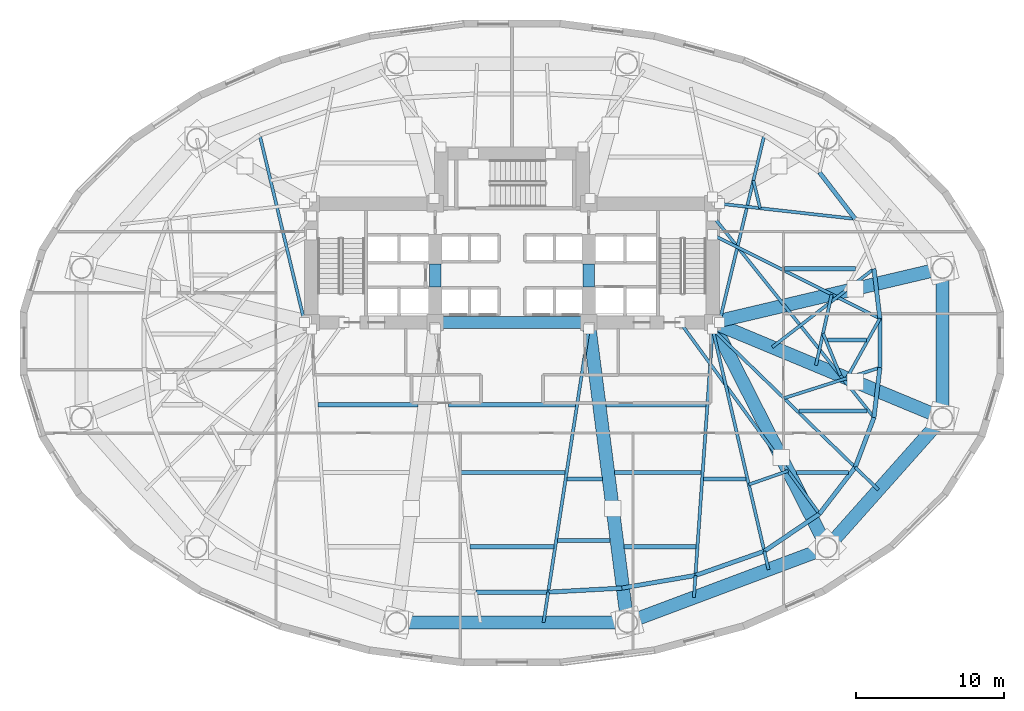
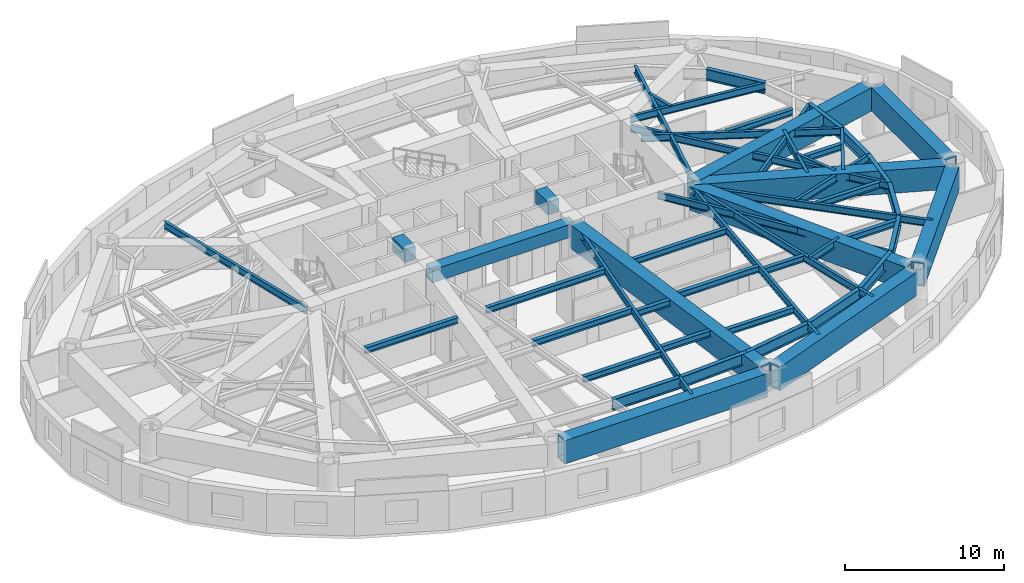
# One storey, part 2 of 14: 57 beams.
"""IFC4 building model written with IfcOpenShell, lengths in metres."""

from ifc_helpers import new_model, si_unit, direction, frame, origin, origin_2d, place, context, subcontext, project, spatial, rectangle, hollow_rectangle, i_section, extrude, material, material_profile, profile_set, type_object, element, save


model = new_model("IFC4")

# Units and contexts
model_context = context("Model", 3, precision=1e-05, world=origin(), true_north=direction((0.0, 1.0)))
body_context = subcontext(model_context, "Body", "Model", "MODEL_VIEW")
ifc_project = project(units=[si_unit("LENGTHUNIT", "METRE"), si_unit("AREAUNIT", "SQUARE_METRE"), si_unit("VOLUMEUNIT", "CUBIC_METRE"), si_unit("PLANEANGLEUNIT", "RADIAN"), si_unit("MASSUNIT", "GRAM", prefix="KILO")], contexts=[model_context])

# Site, building, storey
site_placement = place(None, origin())
site = spatial("IfcSite", under=ifc_project, at=site_placement, CompositionType="ELEMENT")
building_placement = place(site_placement, origin())
building = spatial("IfcBuilding", under=site, at=building_placement, Name="Keldmark Tower", CompositionType="ELEMENT")
storey_placement = place(building_placement, frame((0.0, 0.0, 22.800048828125)))
storey = spatial("IfcBuildingStorey", under=building, at=storey_placement, Name="L05", CompositionType="ELEMENT", Elevation=22.800048828125)

# Beams
ifc_material_1 = material(Name="Steel ASTM A992 Grade 50", Category="steel")
ifc_material_profile_1 = material_profile(ifc_material_1, i_section(OverallWidth=0.280029296875, OverallDepth=0.462890625, WebThickness=0.0107421875, FlangeThickness=0.017333984375, at=origin_2d()), Name="W18X76")
ifc_profile_set_1 = profile_set([ifc_material_profile_1], Name="Steel ASTM A992 Grade 50")
beam_type_1 = type_object("IfcBeamType", Name="Composite Floor Joist W18X76", PredefinedType="JOIST", material=ifc_profile_set_1)
beam_1_placement = place(storey_placement, frame((-2.831787109375, -13.800048828125, 3.66845703125), z_axis=(1.0, 0.0, 0.0), x_axis=(0.0, 1.0, 0.0)))
element("IfcBeam", 1, at=beam_1_placement, inside=storey, type_object=beam_type_1, Name="L05 Composite Floor Joist J03", PredefinedType="JOIST", context=body_context, shape_type="SweptSolid", body=[
    extrude(i_section(OverallWidth=0.280029296875, OverallDepth=0.462890625, WebThickness=0.0107421875, FlangeThickness=0.017333984375, at=origin_2d()), origin(), (0.0, 0.0, 1.0), 5.66357421875),
])
beam_2_placement = place(storey_placement, frame((3.0908203125, -13.3798828125, 3.66845703125), z_axis=(1.0, 0.0, 0.0), x_axis=(0.0, 1.0, 0.0)))
element("IfcBeam", 2, at=beam_2_placement, inside=storey, type_object=beam_type_1, Name="L05 Composite Floor Joist J04", PredefinedType="JOIST", context=body_context, shape_type="SweptSolid", body=[
    extrude(i_section(OverallWidth=0.280029296875, OverallDepth=0.462890625, WebThickness=0.0107421875, FlangeThickness=0.017333984375, at=origin_2d()), origin(), (0.0, 0.0, 1.0), 3.56640625),
])
beam_3_placement = place(storey_placement, frame((7.6005859375, -13.800048828125, 3.66845703125), z_axis=(1.0, 0.0, 0.0), x_axis=(0.0, 1.0, 0.0)))
element("IfcBeam", 3, at=beam_3_placement, inside=storey, type_object=beam_type_1, Name="L05 Composite Floor Joist J05", PredefinedType="JOIST", context=body_context, shape_type="SweptSolid", body=[
    extrude(i_section(OverallWidth=0.280029296875, OverallDepth=0.462890625, WebThickness=0.0107421875, FlangeThickness=0.017333984375, at=origin_2d()), origin(), (0.0, 0.0, 1.0), 4.869873046875),
])
beam_4_placement = place(storey_placement, frame((-3.604736328125, -8.780029296875, 3.66845703125), z_axis=(1.0, 0.0, 0.0), x_axis=(0.0, 1.0, 0.0)))
element("IfcBeam", 4, at=beam_4_placement, inside=storey, type_object=beam_type_1, Name="L05 Composite Floor Joist J10", PredefinedType="JOIST", context=body_context, shape_type="SweptSolid", body=[
    extrude(i_section(OverallWidth=0.280029296875, OverallDepth=0.462890625, WebThickness=0.0107421875, FlangeThickness=0.017333984375, at=origin_2d()), origin(), (0.0, 0.0, 1.0), 7.20947265625),
])
beam_5_placement = place(storey_placement, frame((3.734375, -9.199951171875, 3.66845703125), z_axis=(1.0, 0.0, 0.0), x_axis=(0.0, 1.0, 0.0)))
element("IfcBeam", 5, at=beam_5_placement, inside=storey, type_object=beam_type_1, Name="L05 Composite Floor Joist J11", PredefinedType="JOIST", context=body_context, shape_type="SweptSolid", body=[
    extrude(i_section(OverallWidth=0.280029296875, OverallDepth=0.462890625, WebThickness=0.0107421875, FlangeThickness=0.017333984375, at=origin_2d()), origin(), (0.0, 0.0, 1.0), 2.385009765625),
])
beam_6_placement = place(storey_placement, frame((6.95458984375, -8.780029296875, 3.66845703125), z_axis=(1.0, 0.0, 0.0), x_axis=(0.0, 1.0, 0.0)))
element("IfcBeam", 6, at=beam_6_placement, inside=storey, type_object=beam_type_1, Name="L05 Composite Floor Joist J12", PredefinedType="JOIST", context=body_context, shape_type="SweptSolid", body=[
    extrude(i_section(OverallWidth=0.280029296875, OverallDepth=0.462890625, WebThickness=0.0107421875, FlangeThickness=0.017333984375, at=origin_2d()), origin(), (0.0, 0.0, 1.0), 5.86767578125),
])
beam_7_placement = place(storey_placement, frame((12.9853515625, -9.199951171875, 3.66845703125), z_axis=(1.0, 0.0, 0.0), x_axis=(0.0, 1.0, 0.0)))
element("IfcBeam", 7, at=beam_7_placement, inside=storey, type_object=beam_type_1, Name="L05 Composite Floor Joist J13", PredefinedType="JOIST", context=body_context, shape_type="SweptSolid", body=[
    extrude(i_section(OverallWidth=0.280029296875, OverallDepth=0.462890625, WebThickness=0.0107421875, FlangeThickness=0.017333984375, at=origin_2d()), origin(), (0.0, 0.0, 1.0), 2.873779296875),
])
beam_8_placement = place(storey_placement, frame((19.2685546875, -8.780029296875, 3.66845703125), z_axis=(1.0, 0.0, 0.0), x_axis=(0.0, 1.0, 0.0)))
element("IfcBeam", 8, at=beam_8_placement, inside=storey, type_object=beam_type_1, Name="L05 Composite Floor Joist J14", PredefinedType="JOIST", context=body_context, shape_type="SweptSolid", body=[
    extrude(i_section(OverallWidth=0.280029296875, OverallDepth=0.462890625, WebThickness=0.0107421875, FlangeThickness=0.017333984375, at=origin_2d()), origin(), (0.0, 0.0, 1.0), 3.533203125),
])
beam_9_placement = place(storey_placement, frame((-13.144287109375, -4.179931640625, 3.66845703125), z_axis=(1.0, 0.0, 0.0), x_axis=(0.0, 1.0, 0.0)))
element("IfcBeam", 9, at=beam_9_placement, inside=storey, type_object=beam_type_1, Name="L05 Composite Floor Joist J16", PredefinedType="JOIST", context=body_context, shape_type="SweptSolid", body=[
    extrude(i_section(OverallWidth=0.280029296875, OverallDepth=0.462890625, WebThickness=0.0107421875, FlangeThickness=0.017333984375, at=origin_2d()), origin(), (0.0, 0.0, 1.0), 6.781494140625),
])
beam_10_placement = place(storey_placement, frame((-4.31298828125, -4.179931640625, 3.66845703125), z_axis=(1.0, 0.0, 0.0), x_axis=(0.0, 1.0, 0.0)))
element("IfcBeam", 10, at=beam_10_placement, inside=storey, type_object=beam_type_1, Name="L05 Composite Floor Joist J17", PredefinedType="JOIST", context=body_context, shape_type="SweptSolid", body=[
    extrude(i_section(OverallWidth=0.280029296875, OverallDepth=0.462890625, WebThickness=0.0107421875, FlangeThickness=0.017333984375, at=origin_2d()), origin(), (0.0, 0.0, 1.0), 8.6259765625),
])
beam_11_placement = place(storey_placement, frame((6.36279296875, -4.179931640625, 3.66845703125), z_axis=(1.0, 0.0, 0.0), x_axis=(0.0, 1.0, 0.0)))
element("IfcBeam", 11, at=beam_11_placement, inside=storey, type_object=beam_type_1, Name="L05 Composite Floor Joist J18", PredefinedType="JOIST", context=body_context, shape_type="SweptSolid", body=[
    extrude(i_section(OverallWidth=0.280029296875, OverallDepth=0.462890625, WebThickness=0.0107421875, FlangeThickness=0.017333984375, at=origin_2d()), origin(), (0.0, 0.0, 1.0), 6.781494140625),
])
beam_12_placement = place(storey_placement, frame((19.462890625, -4.60009765625, 3.66845703125), z_axis=(1.0, 0.0, 0.0), x_axis=(0.0, 1.0, 0.0)))
element("IfcBeam", 12, at=beam_12_placement, inside=storey, type_object=beam_type_1, Name="L05 Composite Floor Joist J19", PredefinedType="JOIST", context=body_context, shape_type="SweptSolid", body=[
    extrude(i_section(OverallWidth=0.280029296875, OverallDepth=0.462890625, WebThickness=0.0107421875, FlangeThickness=0.017333984375, at=origin_2d()), origin(), (0.0, 0.0, 1.0), 4.590087890625),
])
beam_13_placement = place(storey_placement, frame((21.36865234375, 0.199951171875, 3.66845703125), z_axis=(1.0, 0.0, 0.0), x_axis=(0.0, 1.0, 0.0)))
element("IfcBeam", 13, at=beam_13_placement, inside=storey, type_object=beam_type_1, Name="L05 Composite Floor Joist J21", PredefinedType="JOIST", context=body_context, shape_type="SweptSolid", body=[
    extrude(i_section(OverallWidth=0.280029296875, OverallDepth=0.462890625, WebThickness=0.0107421875, FlangeThickness=0.017333984375, at=origin_2d()), origin(), (0.0, 0.0, 1.0), 2.638427734375),
])
beam_14_placement = place(storey_placement, frame((18.450927734375, 5.0400390625, 3.66845703125), z_axis=(1.0, 0.0, 0.0), x_axis=(0.0, 1.0, 0.0)))
element("IfcBeam", 14, at=beam_14_placement, inside=storey, type_object=beam_type_1, Name="L05 Composite Floor Joist J23", PredefinedType="JOIST", context=body_context, shape_type="SweptSolid", body=[
    extrude(i_section(OverallWidth=0.280029296875, OverallDepth=0.462890625, WebThickness=0.0107421875, FlangeThickness=0.017333984375, at=origin_2d()), origin(), (0.0, 0.0, 1.0), 4.83251953125),
])
ifc_material_2 = material(Name="Concrete C70/85", Category="concrete")
ifc_material_profile_2 = material_profile(ifc_material_2, rectangle(XDim=0.800048828125, YDim=1.0, at=origin_2d()), Name="RCB800X1000")
ifc_profile_set_2 = profile_set([ifc_material_profile_2], Name="Concrete C70/85")
beam_type_2 = type_object("IfcBeamType", Name="Core Coupling Beam RCB800X1000", PredefinedType="USERDEFINED", material=ifc_profile_set_2)
for number, where, z_axis, x_axis, name in (
    (15, (-5.199951171875, 3.800048828125, 3.39990234375), (0.0, 1.0, 0.0), (-1.0, 0.0, 0.0), "L05 West Core Coupling Beam"),
    (16, (5.199951171875, 3.800048828125, 3.39990234375), (0.0, 1.0, 0.0), (-1.0, 0.0, 0.0), "L05 East Core Coupling Beam"),
):
    element("IfcBeam", number, at=place(storey_placement, frame(where, z_axis=z_axis, x_axis=x_axis)), inside=storey, type_object=beam_type_2, Name=name, ObjectType="COUPLING BEAM", PredefinedType="USERDEFINED", context=body_context, shape_type="SweptSolid", body=[
        extrude(rectangle(XDim=0.800048828125, YDim=1.0, at=origin_2d()), origin(), (0.0, 0.0, 1.0), 1.550048828125),
    ])
beam_15_placement = place(storey_placement, frame((-5.199951171875, 1.39990234375, 3.39990234375), z_axis=(1.0, 0.0, 0.0), x_axis=(0.0, 1.0, 0.0)))
element("IfcBeam", 17, at=beam_15_placement, inside=storey, type_object=beam_type_2, Name="L05 Central South Core Coupling Beam", ObjectType="COUPLING BEAM", PredefinedType="USERDEFINED", context=body_context, shape_type="SweptSolid", body=[
    extrude(rectangle(XDim=0.800048828125, YDim=1.0, at=origin_2d()), origin(), (0.0, 0.0, 1.0), 10.39990234375),
])
ifc_material_3 = material(Name="Steel ASTM A572 Grade 50", Category="steel")
ifc_material_profile_3 = material_profile(ifc_material_3, hollow_rectangle(XDim=0.89990234375, YDim=1.800048828125, WallThickness=0.074951171875, at=origin_2d()), Name="TBOX1800X900X75")
ifc_profile_set_3 = profile_set([ifc_material_profile_3], Name="Steel ASTM A572 Grade 50")
beam_type_3 = type_object("IfcBeamType", Name="Perimeter Transfer Box Girder 1800x900", PredefinedType="USERDEFINED", material=ifc_profile_set_3)
beam_16_placement = place(storey_placement, frame((-7.3662109375, -18.93212890625, 3.0), z_axis=(1.0, 0.0, 0.0), x_axis=(0.0, 1.0, 0.0)))
element("IfcBeam", 18, at=beam_16_placement, inside=storey, type_object=beam_type_3, Name="L05 Perimeter Transfer Ring Box Girder TRING-09", ObjectType="TRANSFER GIRDER", PredefinedType="USERDEFINED", context=body_context, shape_type="SweptSolid", body=[
    extrude(hollow_rectangle(XDim=0.89990234375, YDim=1.800048828125, WallThickness=0.074951171875, at=origin_2d()), origin(), (0.0, 0.0, 1.0), 14.732421875),
])
beam_17_placement = place(storey_placement, frame((8.23779296875, -18.774169921875, 3.0), z_axis=(0.936417954382, 0.350886612329, 0.0), x_axis=(-0.350886612329, 0.936417954382, 0.0)))
element("IfcBeam", 19, at=beam_17_placement, inside=storey, type_object=beam_type_3, Name="L05 Perimeter Transfer Ring Box Girder TRING-10", ObjectType="TRANSFER GIRDER", PredefinedType="USERDEFINED", context=body_context, shape_type="SweptSolid", body=[
    extrude(hollow_rectangle(XDim=0.89990234375, YDim=1.800048828125, WallThickness=0.074951171875, at=origin_2d()), origin(), (0.0, 0.0, 1.0), 13.557373046875),
])
beam_18_placement = place(storey_placement, frame((21.65380859375, -13.523193359375, 3.0), z_axis=(0.66464984112, 0.747154996436, 0.0), x_axis=(-0.747154996436, 0.66464984112, 0.0)))
element("IfcBeam", 20, at=beam_18_placement, inside=storey, type_object=beam_type_3, Name="L05 Perimeter Transfer Ring Box Girder TRING-11", ObjectType="TRANSFER GIRDER", PredefinedType="USERDEFINED", context=body_context, shape_type="SweptSolid", body=[
    extrude(hollow_rectangle(XDim=0.89990234375, YDim=1.800048828125, WallThickness=0.074951171875, at=origin_2d()), origin(), (0.0, 0.0, 1.0), 10.85986328125),
])
beam_19_placement = place(storey_placement, frame((29.1708984375, -4.622802734375, 3.0), z_axis=(0.0, 1.0, 0.0), x_axis=(-1.0, 0.0, 0.0)))
element("IfcBeam", 21, at=beam_19_placement, inside=storey, type_object=beam_type_3, Name="L05 Perimeter Transfer Ring Box Girder TRING-12", ObjectType="TRANSFER GIRDER", PredefinedType="USERDEFINED", context=body_context, shape_type="SweptSolid", body=[
    extrude(hollow_rectangle(XDim=0.89990234375, YDim=1.800048828125, WallThickness=0.074951171875, at=origin_2d()), origin(), (0.0, 0.0, 1.0), 9.24560546875),
])
beam_20_placement = place(storey_placement, frame((28.73291015625, 4.969482421875, 3.0), z_axis=(-0.973292516513, -0.229568458854, 0.0), x_axis=(0.229568458854, -0.973292516513, 0.0)))
element("IfcBeam", 22, at=beam_20_placement, inside=storey, type_object=beam_type_3, Name="L05 Primary Transfer Box Girder TB-TC-E1", ObjectType="TRANSFER GIRDER", PredefinedType="USERDEFINED", context=body_context, shape_type="SweptSolid", body=[
    extrude(hollow_rectangle(XDim=0.89990234375, YDim=1.800048828125, WallThickness=0.074951171875, at=origin_2d()), origin(), (0.0, 0.0, 1.0), 15.1982421875),
])
beam_21_placement = place(storey_placement, frame((7.7587890625, -18.48583984375, 3.0), z_axis=(-0.127622930912, 0.991822760127, 0.0), x_axis=(-0.991822760127, -0.127622930912, 0.0)))
element("IfcBeam", 23, at=beam_21_placement, inside=storey, type_object=beam_type_3, Name="L05 Primary Transfer Box Girder TB-TC-E3", ObjectType="TRANSFER GIRDER", PredefinedType="USERDEFINED", context=body_context, shape_type="SweptSolid", body=[
    extrude(hollow_rectangle(XDim=0.89990234375, YDim=1.800048828125, WallThickness=0.074951171875, at=origin_2d()), origin(), (0.0, 0.0, 1.0), 19.699951171875),
])
beam_22_placement = place(storey_placement, frame((21.150634765625, -13.4580078125, 3.0), z_axis=(-0.45304555932, 0.891487364566, 0.0), x_axis=(-0.891487364566, -0.45304555932, 0.0)))
element("IfcBeam", 24, at=beam_22_placement, inside=storey, type_object=beam_type_3, Name="L05 Primary Transfer Box Girder TB-TC-E2", ObjectType="TRANSFER GIRDER", PredefinedType="USERDEFINED", context=body_context, shape_type="SweptSolid", body=[
    extrude(hollow_rectangle(XDim=0.89990234375, YDim=1.800048828125, WallThickness=0.074951171875, at=origin_2d()), origin(), (0.0, 0.0, 1.0), 16.31640625),
])
beam_23_placement = place(storey_placement, frame((28.755615234375, -4.900146484375, 3.0), z_axis=(-0.923395872542, 0.383849010123, 0.0), x_axis=(-0.383849010123, -0.923395872542, 0.0)))
element("IfcBeam", 25, at=beam_23_placement, inside=storey, type_object=beam_type_3, Name="L05 Primary Transfer Box Girder TB-TC-E5", ObjectType="TRANSFER GIRDER", PredefinedType="USERDEFINED", context=body_context, shape_type="SweptSolid", body=[
    extrude(hollow_rectangle(XDim=0.89990234375, YDim=1.800048828125, WallThickness=0.074951171875, at=origin_2d()), origin(), (0.0, 0.0, 1.0), 16.06298828125),
])
ifc_material_4 = material(Name="Steel ASTM A992 Grade 50", Category="steel")
ifc_material_profile_4 = material_profile(ifc_material_4, i_section(OverallWidth=0.2099609375, OverallDepth=0.537109375, WebThickness=0.010986328125, FlangeThickness=0.017333984375, at=origin_2d()), Name="W21X68")
ifc_profile_set_4 = profile_set([ifc_material_profile_4], Name="Steel ASTM A992 Grade 50")
beam_type_4 = type_object("IfcBeamType", Name="Radial Tie Girder W21X68", PredefinedType="BEAM", material=ifc_profile_set_4)
beam_24_placement = place(storey_placement, frame((20.59765625, -1.509033203125, 3.63134765625), z_axis=(0.215765453271, 0.976445220775, 0.0), x_axis=(-0.976445220775, 0.215765453271, 0.0)))
element("IfcBeam", 26, at=beam_24_placement, inside=storey, type_object=beam_type_4, Name="L05 Framing Pin Header PH-001", PredefinedType="BEAM", context=body_context, shape_type="SweptSolid", body=[
    extrude(i_section(OverallWidth=0.2099609375, OverallDepth=0.537109375, WebThickness=0.010986328125, FlangeThickness=0.017333984375, at=origin_2d()), origin(), (0.0, 0.0, 1.0), 4.926513671875),
])
beam_25_placement = place(storey_placement, frame((13.60009765625, 7.343017578125, 3.63134765625), z_axis=(0.893925809791, -0.448214955784, 0.0), x_axis=(0.448214955784, 0.893925809791, 0.0)))
element("IfcBeam", 27, at=beam_25_placement, inside=storey, type_object=beam_type_4, Name="L05 Perimeter Radial Tie Girder RT-01", PredefinedType="BEAM", context=body_context, shape_type="SweptSolid", body=[
    extrude(i_section(OverallWidth=0.2099609375, OverallDepth=0.537109375, WebThickness=0.010986328125, FlangeThickness=0.017333984375, at=origin_2d()), origin(), (0.0, 0.0, 1.0), 12.674560546875),
])
beam_26_placement = place(storey_placement, frame((17.63134765625, -0.27587890625, 3.63134765625), z_axis=(0.792168113239, 0.610302941471, 0.0), x_axis=(-0.610302941471, 0.792168113239, 0.0)))
element("IfcBeam", 28, at=beam_26_placement, inside=storey, type_object=beam_type_4, Name="L05 Perimeter Radial Tie Girder RT-02", PredefinedType="BEAM", context=body_context, shape_type="SweptSolid", body=[
    extrude(i_section(OverallWidth=0.2099609375, OverallDepth=0.537109375, WebThickness=0.010986328125, FlangeThickness=0.017333984375, at=origin_2d()), origin(), (0.0, 0.0, 1.0), 8.704345703125),
])
beam_27_placement = place(storey_placement, frame((14.050048828125, 9.449951171875, 3.63134765625), z_axis=(0.99373468257, -0.111764845358, 0.0), x_axis=(0.111764845358, 0.99373468257, 0.0)))
element("IfcBeam", 29, at=beam_27_placement, inside=storey, type_object=beam_type_4, Name="L05 Perimeter Radial Tie Girder RT-03", PredefinedType="BEAM", context=body_context, shape_type="SweptSolid", body=[
    extrude(i_section(OverallWidth=0.2099609375, OverallDepth=0.537109375, WebThickness=0.010986328125, FlangeThickness=0.017333984375, at=origin_2d()), origin(), (0.0, 0.0, 1.0), 9.26416015625),
])
beam_28_placement = place(storey_placement, frame((16.811767578125, 9.139404296875, 3.63134765625), z_axis=(-0.235484319333, 0.971878148406, 0.0), x_axis=(-0.971878148406, -0.235484319333, 0.0)))
element("IfcBeam", 30, at=beam_28_placement, inside=storey, type_object=beam_type_4, Name="L05 Framing Pin Header PH-003", PredefinedType="BEAM", context=body_context, shape_type="SweptSolid", body=[
    extrude(i_section(OverallWidth=0.2099609375, OverallDepth=0.537109375, WebThickness=0.010986328125, FlangeThickness=0.017333984375, at=origin_2d()), origin(), (0.0, 0.0, 1.0), 1.9326171875),
])
for number, where, z_axis, x_axis, name in (
    (31, (14.050048828125, 1.39990234375, 3.63134765625), (0.233223084446, 0.972423258094, 0.0), (-0.972423258094, 0.233223084446, 0.0), "L05 Perimeter Radial Tie Girder RT-05"),
    (32, (-14.050048828125, 1.39990234375, 3.63134765625), (-0.233223084446, 0.972423258094, 0.0), (-0.972423258094, -0.233223084446, 0.0), "L05 Perimeter Radial Tie Girder RT-12"),
):
    element("IfcBeam", number, at=place(storey_placement, frame(where, z_axis=z_axis, x_axis=x_axis)), inside=storey, type_object=beam_type_4, Name=name, PredefinedType="BEAM", context=body_context, shape_type="SweptSolid", body=[
        extrude(i_section(OverallWidth=0.2099609375, OverallDepth=0.537109375, WebThickness=0.010986328125, FlangeThickness=0.017333984375, at=origin_2d()), origin(), (0.0, 0.0, 1.0), 13.06201171875),
    ])
beam_29_placement = place(storey_placement, frame((5.199951171875, 0.949951171875, 3.63134765625), z_axis=(-0.152177211887, -0.9883532244, 0.0), x_axis=(0.9883532244, -0.152177211887, 0.0)))
element("IfcBeam", 33, at=beam_29_placement, inside=storey, type_object=beam_type_4, Name="L05 Perimeter Radial Tie Girder RT-25", PredefinedType="BEAM", context=body_context, shape_type="SweptSolid", body=[
    extrude(i_section(OverallWidth=0.2099609375, OverallDepth=0.537109375, WebThickness=0.010986328125, FlangeThickness=0.017333984375, at=origin_2d()), origin(), (0.0, 0.0, 1.0), 18.03564453125),
])
beam_30_placement = place(storey_placement, frame((2.455322265625, -16.875732421875, 3.63134765625), z_axis=(-0.152074819396, -0.988368984391, 0.0), x_axis=(0.988368984391, -0.152074819396, 0.0)))
element("IfcBeam", 34, at=beam_30_placement, inside=storey, type_object=beam_type_4, Name="L05 Podium Overhang Tie Girder RT-25X", PredefinedType="BEAM", context=body_context, shape_type="SweptSolid", body=[
    extrude(i_section(OverallWidth=0.2099609375, OverallDepth=0.537109375, WebThickness=0.010986328125, FlangeThickness=0.017333984375, at=origin_2d()), origin(), (0.0, 0.0, 1.0), 2.08056640625),
])
beam_31_placement = place(storey_placement, frame((13.60009765625, 0.949951171875, 3.63134765625), z_axis=(-0.069885605544, -0.997555012086, 0.0), x_axis=(0.997555012086, -0.069885605544, 0.0)))
element("IfcBeam", 35, at=beam_31_placement, inside=storey, type_object=beam_type_4, Name="L05 Perimeter Radial Tie Girder RT-27", PredefinedType="BEAM", context=body_context, shape_type="SweptSolid", body=[
    extrude(i_section(OverallWidth=0.2099609375, OverallDepth=0.537109375, WebThickness=0.010986328125, FlangeThickness=0.017333984375, at=origin_2d()), origin(), (0.0, 0.0, 1.0), 16.733642578125),
])
beam_32_placement = place(storey_placement, frame((12.4306640625, -15.74267578125, 3.63134765625), z_axis=(-0.069827511722, -0.997559080259, 0.0), x_axis=(0.997559080259, -0.069827511722, 0.0)))
element("IfcBeam", 36, at=beam_32_placement, inside=storey, type_object=beam_type_4, Name="L05 Podium Overhang Tie Girder RT-27X", PredefinedType="BEAM", context=body_context, shape_type="SweptSolid", body=[
    extrude(i_section(OverallWidth=0.2099609375, OverallDepth=0.537109375, WebThickness=0.010986328125, FlangeThickness=0.017333984375, at=origin_2d()), origin(), (0.0, 0.0, 1.0), 1.50341796875),
])
beam_33_placement = place(storey_placement, frame((13.60009765625, 0.949951171875, 3.63134765625), z_axis=(0.22626355798, -0.974066118049, 0.0), x_axis=(0.974066118049, 0.22626355798, 0.0)))
element("IfcBeam", 37, at=beam_33_placement, inside=storey, type_object=beam_type_4, Name="L05 Perimeter Radial Tie Girder RT-28", PredefinedType="BEAM", context=body_context, shape_type="SweptSolid", body=[
    extrude(i_section(OverallWidth=0.2099609375, OverallDepth=0.537109375, WebThickness=0.010986328125, FlangeThickness=0.017333984375, at=origin_2d()), origin(), (0.0, 0.0, 1.0), 15.452392578125),
])
beam_34_placement = place(storey_placement, frame((17.096435546875, -14.101806640625, 3.63134765625), z_axis=(0.226408110408, -0.974032528996, 0.0), x_axis=(0.974032528996, 0.226408110408, 0.0)))
element("IfcBeam", 38, at=beam_34_placement, inside=storey, type_object=beam_type_4, Name="L05 Podium Overhang Tie Girder RT-28X", PredefinedType="BEAM", context=body_context, shape_type="SweptSolid", body=[
    extrude(i_section(OverallWidth=0.2099609375, OverallDepth=0.537109375, WebThickness=0.010986328125, FlangeThickness=0.017333984375, at=origin_2d()), origin(), (0.0, 0.0, 1.0), 1.27783203125),
])
beam_35_placement = place(storey_placement, frame((16.047607421875, -9.586181640625, 3.63134765625), z_axis=(0.944438405735, 0.328688450928, 0.0), x_axis=(-0.328688450928, 0.944438405735, 0.0)))
element("IfcBeam", 39, at=beam_35_placement, inside=storey, type_object=beam_type_4, Name="L05 Framing Pin Header PH-010", PredefinedType="BEAM", context=body_context, shape_type="SweptSolid", body=[
    extrude(i_section(OverallWidth=0.2099609375, OverallDepth=0.537109375, WebThickness=0.010986328125, FlangeThickness=0.017333984375, at=origin_2d()), origin(), (0.0, 0.0, 1.0), 2.821044921875),
])
beam_36_placement = place(storey_placement, frame((11.392822265625, 1.39990234375, 3.63134765625), z_axis=(0.588349932487, -0.808606428952, 0.0), x_axis=(0.808606428952, 0.588349932487, 0.0)))
element("IfcBeam", 40, at=beam_36_placement, inside=storey, type_object=beam_type_4, Name="L05 Perimeter Radial Tie Girder RT-29", PredefinedType="BEAM", context=body_context, shape_type="SweptSolid", body=[
    extrude(i_section(OverallWidth=0.2099609375, OverallDepth=0.537109375, WebThickness=0.010986328125, FlangeThickness=0.017333984375, at=origin_2d()), origin(), (0.0, 0.0, 1.0), 16.04345703125),
])
beam_37_placement = place(storey_placement, frame((13.60009765625, 0.949951171875, 3.63134765625), z_axis=(0.717859436099, -0.696188070857, 0.0), x_axis=(0.696188070857, 0.717859436099, 0.0)))
element("IfcBeam", 41, at=beam_37_placement, inside=storey, type_object=beam_type_4, Name="L05 Perimeter Radial Tie Girder RT-30", PredefinedType="BEAM", context=body_context, shape_type="SweptSolid", body=[
    extrude(i_section(OverallWidth=0.2099609375, OverallDepth=0.537109375, WebThickness=0.010986328125, FlangeThickness=0.017333984375, at=origin_2d()), origin(), (0.0, 0.0, 1.0), 13.451171875),
])
beam_38_placement = place(storey_placement, frame((23.256103515625, -8.41455078125, 3.63134765625), z_axis=(0.717897032676, -0.696149301856, 0.0), x_axis=(0.696149301856, 0.717897032676, 0.0)))
element("IfcBeam", 42, at=beam_38_placement, inside=storey, type_object=beam_type_4, Name="L05 Podium Overhang Tie Girder RT-30X", PredefinedType="BEAM", context=body_context, shape_type="SweptSolid", body=[
    extrude(i_section(OverallWidth=0.2099609375, OverallDepth=0.537109375, WebThickness=0.010986328125, FlangeThickness=0.017333984375, at=origin_2d()), origin(), (0.0, 0.0, 1.0), 2.2001953125),
])
beam_39_placement = place(storey_placement, frame((21.075927734375, 0.65576171875, 3.63134765625), z_axis=(0.382133007093, -0.924107334074, 0.0), x_axis=(0.924107334074, 0.382133007093, 0.0)))
element("IfcBeam", 43, at=beam_39_placement, inside=storey, type_object=beam_type_4, Name="L05 Framing Pin Header PH-011", PredefinedType="BEAM", context=body_context, shape_type="SweptSolid", body=[
    extrude(i_section(OverallWidth=0.2099609375, OverallDepth=0.537109375, WebThickness=0.010986328125, FlangeThickness=0.017333984375, at=origin_2d()), origin(), (0.0, 0.0, 1.0), 3.08837890625),
])
beam_40_placement = place(storey_placement, frame((13.60009765625, 8.621337890625, 3.63134765625), z_axis=(0.624706963166, -0.780859276805, 0.0), x_axis=(0.780859276805, 0.624706963166, 0.0)))
element("IfcBeam", 44, at=beam_40_placement, inside=storey, type_object=beam_type_4, Name="L05 Perimeter Radial Tie Girder RT-31", PredefinedType="BEAM", context=body_context, shape_type="SweptSolid", body=[
    extrude(i_section(OverallWidth=0.2099609375, OverallDepth=0.537109375, WebThickness=0.010986328125, FlangeThickness=0.017333984375, at=origin_2d()), origin(), (0.0, 0.0, 1.0), 17.49072265625),
])
beam_41_placement = place(storey_placement, frame((24.93017578125, 1.662109375, 3.63134765625), z_axis=(-0.485822362245, -0.874057568094, 0.0), x_axis=(0.874057568094, -0.485822362245, 0.0)))
element("IfcBeam", 45, at=beam_41_placement, inside=storey, type_object=beam_type_4, Name="L05 Framing Pin Header PH-012", PredefinedType="BEAM", context=body_context, shape_type="SweptSolid", body=[
    extrude(i_section(OverallWidth=0.2099609375, OverallDepth=0.537109375, WebThickness=0.010986328125, FlangeThickness=0.017333984375, at=origin_2d()), origin(), (0.0, 0.0, 1.0), 4.620849609375),
])
beam_42_placement = place(storey_placement, frame((18.427978515625, -3.732421875, 3.63134765625), z_axis=(0.952865147118, 0.3033941519, 0.0), x_axis=(-0.3033941519, 0.952865147118, 0.0)))
element("IfcBeam", 46, at=beam_42_placement, inside=storey, type_object=beam_type_4, Name="L05 Perimeter Radial Tie Girder RT-32", PredefinedType="BEAM", context=body_context, shape_type="SweptSolid", body=[
    extrude(i_section(OverallWidth=0.2099609375, OverallDepth=0.537109375, WebThickness=0.010986328125, FlangeThickness=0.017333984375, at=origin_2d()), origin(), (0.0, 0.0, 1.0), 6.82373046875),
])
ifc_material_5 = material(Name="Steel ASTM A992 Grade 50", Category="steel")
ifc_material_profile_5 = material_profile(ifc_material_5, i_section(OverallWidth=0.2919921875, OverallDepth=0.85888671875, WebThickness=0.01708984375, FlangeThickness=0.031005859375, at=origin_2d()), Name="W33X169")
ifc_profile_set_5 = profile_set([ifc_material_profile_5], Name="Steel ASTM A992 Grade 50")
beam_type_5 = type_object("IfcBeamType", Name="Spandrel Ring Beam W33X169", PredefinedType="SPANDREL", material=ifc_profile_set_5)
beam_43_placement = place(storey_placement, frame((24.93017578125, 1.662109375, 3.470458984375), z_axis=(-0.118754274869, 0.992923673905, 0.0), x_axis=(-0.992923673905, -0.118754274869, 0.0)))
element("IfcBeam", 47, at=beam_43_placement, inside=storey, type_object=beam_type_5, Name="L05 Perimeter Spandrel Ring Beam SRB-01", PredefinedType="SPANDREL", context=body_context, shape_type="SweptSolid", body=[
    extrude(i_section(OverallWidth=0.2919921875, OverallDepth=0.85888671875, WebThickness=0.01708984375, FlangeThickness=0.031005859375, at=origin_2d()), origin(), (0.0, 0.0, 1.0), 3.398193359375),
])
beam_44_placement = place(storey_placement, frame((23.256103515625, 8.41455078125, 3.470458984375), z_axis=(-0.608842118876, 0.793291418259, 0.0), x_axis=(-0.793291418259, -0.608842118876, 0.0)))
element("IfcBeam", 48, at=beam_44_placement, inside=storey, type_object=beam_type_5, Name="L05 Perimeter Spandrel Ring Beam SRB-03", PredefinedType="SPANDREL", context=body_context, shape_type="SweptSolid", body=[
    extrude(i_section(OverallWidth=0.2919921875, OverallDepth=0.85888671875, WebThickness=0.01708984375, FlangeThickness=0.031005859375, at=origin_2d()), origin(), (0.0, 0.0, 1.0), 3.9814453125),
])
beam_45_placement = place(storey_placement, frame((-2.455322265625, -16.875732421875, 3.470458984375), z_axis=(1.0, 0.0, 0.0), x_axis=(0.0, 1.0, 0.0)))
element("IfcBeam", 49, at=beam_45_placement, inside=storey, type_object=beam_type_5, Name="L05 Perimeter Spandrel Ring Beam SRB-24", PredefinedType="SPANDREL", context=body_context, shape_type="SweptSolid", body=[
    extrude(i_section(OverallWidth=0.2919921875, OverallDepth=0.85888671875, WebThickness=0.01708984375, FlangeThickness=0.031005859375, at=origin_2d()), origin(), (0.0, 0.0, 1.0), 4.91064453125),
])
beam_46_placement = place(storey_placement, frame((2.455322265625, -16.875732421875, 3.470458984375), z_axis=(0.998501456853, 0.054725137396, 0.0), x_axis=(-0.054725137396, 0.998501456853, 0.0)))
element("IfcBeam", 50, at=beam_46_placement, inside=storey, type_object=beam_type_5, Name="L05 Perimeter Spandrel Ring Beam SRB-25", PredefinedType="SPANDREL", context=body_context, shape_type="SweptSolid", body=[
    extrude(i_section(OverallWidth=0.2919921875, OverallDepth=0.85888671875, WebThickness=0.01708984375, FlangeThickness=0.031005859375, at=origin_2d()), origin(), (0.0, 0.0, 1.0), 4.9921875),
])
beam_47_placement = place(storey_placement, frame((7.43994140625, -16.6025390625, 3.470458984375), z_axis=(0.985480149415, 0.169790680278, 0.0), x_axis=(-0.169790680278, 0.985480149415, 0.0)))
element("IfcBeam", 51, at=beam_47_placement, inside=storey, type_object=beam_type_5, Name="L05 Perimeter Spandrel Ring Beam SRB-26", PredefinedType="SPANDREL", context=body_context, shape_type="SweptSolid", body=[
    extrude(i_section(OverallWidth=0.2919921875, OverallDepth=0.85888671875, WebThickness=0.01708984375, FlangeThickness=0.031005859375, at=origin_2d()), origin(), (0.0, 0.0, 1.0), 5.064208984375),
])
beam_48_placement = place(storey_placement, frame((12.4306640625, -15.74267578125, 3.470458984375), z_axis=(0.94336246541, 0.331763860082, 0.0), x_axis=(-0.331763860082, 0.94336246541, 0.0)))
element("IfcBeam", 52, at=beam_48_placement, inside=storey, type_object=beam_type_5, Name="L05 Perimeter Spandrel Ring Beam SRB-27", PredefinedType="SPANDREL", context=body_context, shape_type="SweptSolid", body=[
    extrude(i_section(OverallWidth=0.2919921875, OverallDepth=0.85888671875, WebThickness=0.01708984375, FlangeThickness=0.031005859375, at=origin_2d()), origin(), (0.0, 0.0, 1.0), 4.94580078125),
])
beam_49_placement = place(storey_placement, frame((17.096435546875, -14.101806640625, 3.470458984375), z_axis=(0.828099422664, 0.560581257431, 0.0), x_axis=(-0.560581257431, 0.828099422664, 0.0)))
element("IfcBeam", 53, at=beam_49_placement, inside=storey, type_object=beam_type_5, Name="L05 Perimeter Spandrel Ring Beam SRB-28", PredefinedType="SPANDREL", context=body_context, shape_type="SweptSolid", body=[
    extrude(i_section(OverallWidth=0.2919921875, OverallDepth=0.85888671875, WebThickness=0.01708984375, FlangeThickness=0.031005859375, at=origin_2d()), origin(), (0.0, 0.0, 1.0), 4.510986328125),
])
beam_50_placement = place(storey_placement, frame((20.83203125, -11.572998046875, 3.470458984375), z_axis=(0.608842118876, 0.793291418259, 0.0), x_axis=(-0.793291418259, 0.608842118876, 0.0)))
element("IfcBeam", 54, at=beam_50_placement, inside=storey, type_object=beam_type_5, Name="L05 Perimeter Spandrel Ring Beam SRB-29", PredefinedType="SPANDREL", context=body_context, shape_type="SweptSolid", body=[
    extrude(i_section(OverallWidth=0.2919921875, OverallDepth=0.85888671875, WebThickness=0.01708984375, FlangeThickness=0.031005859375, at=origin_2d()), origin(), (0.0, 0.0, 1.0), 3.9814453125),
])
beam_51_placement = place(storey_placement, frame((23.256103515625, -8.41455078125, 3.470458984375), z_axis=(0.352020260699, 0.935992380341, 0.0), x_axis=(-0.935992380341, 0.352020260699, 0.0)))
element("IfcBeam", 55, at=beam_51_placement, inside=storey, type_object=beam_type_5, Name="L05 Perimeter Spandrel Ring Beam SRB-30", PredefinedType="SPANDREL", context=body_context, shape_type="SweptSolid", body=[
    extrude(i_section(OverallWidth=0.2919921875, OverallDepth=0.85888671875, WebThickness=0.01708984375, FlangeThickness=0.031005859375, at=origin_2d()), origin(), (0.0, 0.0, 1.0), 3.609130859375),
])
beam_52_placement = place(storey_placement, frame((24.526611328125, -5.036376953125, 3.470458984375), z_axis=(0.118754274869, 0.992923673905, 0.0), x_axis=(-0.992923673905, 0.118754274869, 0.0)))
element("IfcBeam", 56, at=beam_52_placement, inside=storey, type_object=beam_type_5, Name="L05 Perimeter Spandrel Ring Beam SRB-31", PredefinedType="SPANDREL", context=body_context, shape_type="SweptSolid", body=[
    extrude(i_section(OverallWidth=0.2919921875, OverallDepth=0.85888671875, WebThickness=0.01708984375, FlangeThickness=0.031005859375, at=origin_2d()), origin(), (0.0, 0.0, 1.0), 3.398193359375),
])
beam_53_placement = place(storey_placement, frame((24.93017578125, -1.662109375, 3.470458984375), z_axis=(0.0, 1.0, 0.0), x_axis=(-1.0, 0.0, 0.0)))
element("IfcBeam", 57, at=beam_53_placement, inside=storey, type_object=beam_type_5, Name="L05 Perimeter Spandrel Ring Beam SRB-32", PredefinedType="SPANDREL", context=body_context, shape_type="SweptSolid", body=[
    extrude(i_section(OverallWidth=0.2919921875, OverallDepth=0.85888671875, WebThickness=0.01708984375, FlangeThickness=0.031005859375, at=origin_2d()), origin(), (0.0, 0.0, 1.0), 3.32421875),
])

save(model, "model.ifc")
